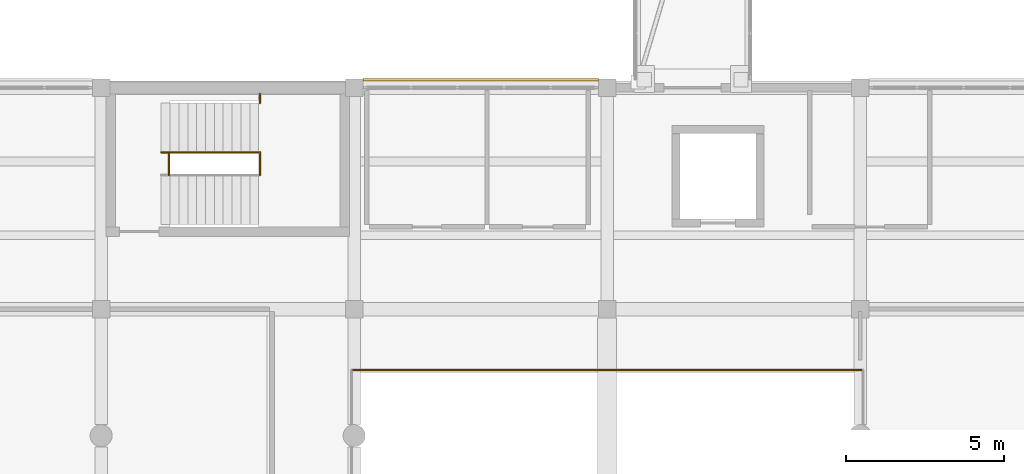
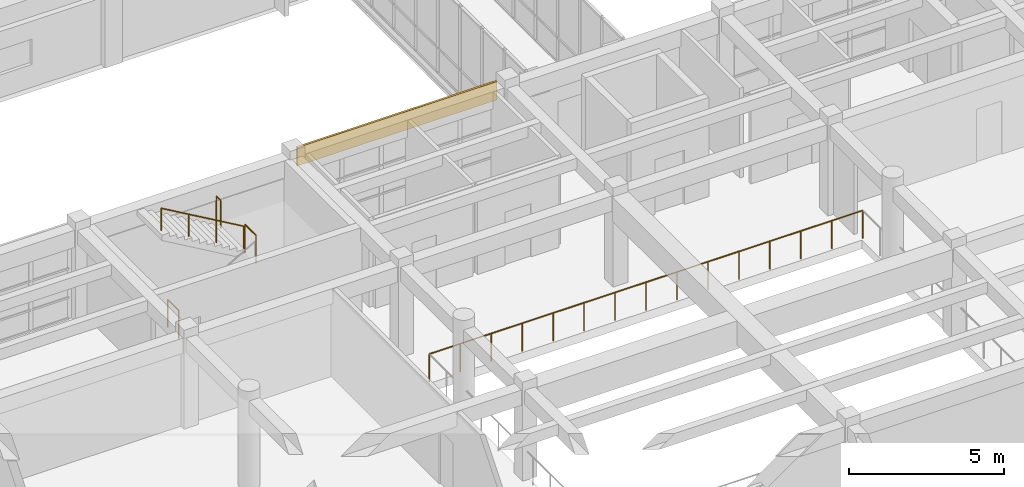
# One storey, part 60 of 66: 5 railings, 1 covering.
"""IFC4 building model written with IfcOpenShell, lengths in metres."""

from ifc_helpers import new_model, si_unit, direction, frame, origin, origin_2d, place, context, subcontext, project, spatial, rectangle, circle, extrude, material, layer, layer_set, type_object, element, save


model = new_model("IFC4")

# Units and contexts
model_context = context("Model", 3, precision=1e-05, world=origin(), true_north=direction((0.0, 1.0)))
body_context = subcontext(model_context, "Body", "Model", "MODEL_VIEW")
ifc_project = project(units=[si_unit("LENGTHUNIT", "METRE"), si_unit("AREAUNIT", "SQUARE_METRE"), si_unit("VOLUMEUNIT", "CUBIC_METRE"), si_unit("PLANEANGLEUNIT", "RADIAN"), si_unit("MASSUNIT", "GRAM", prefix="KILO")], contexts=[model_context])

# Site, building, storey
site_placement = place(None, origin())
site = spatial("IfcSite", under=ifc_project, at=site_placement, CompositionType="ELEMENT")
building_placement = place(site_placement, origin())
building = spatial("IfcBuilding", under=site, at=building_placement, Name="Naurynzar Civic Courthouse", CompositionType="ELEMENT")
storey_placement = place(building_placement, frame((0.0, 0.0, 14.39990234375)))
storey = spatial("IfcBuildingStorey", under=building, at=storey_placement, Name="L04", CompositionType="ELEMENT", Elevation=14.39990234375)

# Covering
ifc_material_1 = material(Name="Precast concrete C40/50", Category="concrete")
ifc_layer = layer(ifc_material_1, 0.080078125)
ifc_layer_set = layer_set([ifc_layer], Name="COV-CLAD-PRECAST-80")
covering_type = type_object("IfcCoveringType", Name="COV-CLAD-PRECAST-80", PredefinedType="CLADDING", material=ifc_layer_set)
covering_placement = place(storey_placement, frame((89.0, 32.2548828125, 2.84033203125), z_axis=(0.0, 0.0, 1.0), x_axis=(1.0, 0.0, 0.0)))
element("IfcCovering", 1, at=covering_placement, inside=storey, type_object=covering_type, Name="V3 precast spandrel cladding 71", PredefinedType="CLADDING", context=body_context, shape_type="SweptSolid", body=[
    extrude(rectangle(XDim=7.449951171875, YDim=0.080078125, at=origin_2d()), origin(), (0.0, 0.0, 1.0), 0.719970703125),
])

# Railings
ifc_material_2 = material(Name="Brushed Stainless Steel 304", Category="steel")
railing_type_1 = type_object("IfcRailingType", Name="RAIL-BAL-1100", PredefinedType="BALUSTRADE", material=ifc_material_2)
railing_1_placement = place(storey_placement, frame((101.080078125, 23.080078125, 0.0)))
element("IfcRailing", 2, at=railing_1_placement, inside=storey, type_object=railing_type_1, Name="Atrium gallery balustrade guard GR-VOID-V3-L04.3", PredefinedType="BALUSTRADE", context=body_context, shape_type="SweptSolid", body=[
    extrude(circle(Radius=0.02392578125, at=origin_2d()), frame((0.0, 0.0, 1.09619140625), z_axis=(-1.0, 0.0, 0.0), x_axis=(0.0, -1.0, 0.0)), (0.0, 0.0, 1.0), 16.16015625),
    extrude(circle(Radius=0.02099609375, at=origin_2d()), origin(), (0.0, 0.0, 1.0), 1.072021484375),
    extrude(circle(Radius=0.02099609375, at=origin_2d()), frame((-1.154296875, 0.0, 0.0)), (0.0, 0.0, 1.0), 1.072021484375),
    extrude(circle(Radius=0.02099609375, at=origin_2d()), frame((-2.30859375, 0.0, 0.0)), (0.0, 0.0, 1.0), 1.072021484375),
    extrude(circle(Radius=0.02099609375, at=origin_2d()), frame((-3.462890625, 0.0, 0.0)), (0.0, 0.0, 1.0), 1.072021484375),
    extrude(circle(Radius=0.02099609375, at=origin_2d()), frame((-4.6171875, 0.0, 0.0)), (0.0, 0.0, 1.0), 1.072021484375),
    extrude(circle(Radius=0.02099609375, at=origin_2d()), frame((-5.771484375, 0.0, 0.0)), (0.0, 0.0, 1.0), 1.072021484375),
    extrude(circle(Radius=0.02099609375, at=origin_2d()), frame((-6.92578125, 0.0, 0.0)), (0.0, 0.0, 1.0), 1.072021484375),
    extrude(circle(Radius=0.02099609375, at=origin_2d()), frame((-8.080078125, 0.0, 0.0)), (0.0, 0.0, 1.0), 1.072021484375),
    extrude(circle(Radius=0.02099609375, at=origin_2d()), frame((-9.234375, 0.0, 0.0)), (0.0, 0.0, 1.0), 1.072021484375),
    extrude(circle(Radius=0.02099609375, at=origin_2d()), frame((-10.388671875, 0.0, 0.0)), (0.0, 0.0, 1.0), 1.072021484375),
    extrude(circle(Radius=0.02099609375, at=origin_2d()), frame((-11.54296875, 0.0, 0.0)), (0.0, 0.0, 1.0), 1.072021484375),
    extrude(circle(Radius=0.02099609375, at=origin_2d()), frame((-12.697265625, 0.0, 0.0)), (0.0, 0.0, 1.0), 1.072021484375),
    extrude(circle(Radius=0.02099609375, at=origin_2d()), frame((-13.8515625, 0.0, 0.0)), (0.0, 0.0, 1.0), 1.072021484375),
    extrude(circle(Radius=0.02099609375, at=origin_2d()), frame((-15.005859375, 0.0, 0.0)), (0.0, 0.0, 1.0), 1.072021484375),
    extrude(circle(Radius=0.02099609375, at=origin_2d()), frame((-16.16015625, 0.0, 0.0)), (0.0, 0.0, 1.0), 1.072021484375),
])
for number, where, name in (
    (3, (79.139892578125, 29.239990234375, 0.0), "Stair ST-V3A floor well slot guard L04"),
    (4, (82.02001953125, 29.239990234375, 1.9501953125), "Stair ST-V3A-L04 half-landing well guard"),
):
    element("IfcRailing", number, at=place(storey_placement, frame(where)), inside=storey, type_object=railing_type_1, Name=name, PredefinedType="BALUSTRADE", context=body_context, shape_type="SweptSolid", body=[
        extrude(circle(Radius=0.02392578125, at=origin_2d()), frame((0.0, 0.0, 1.09619140625), z_axis=(0.0, 1.0, 0.0), x_axis=(-1.0, 0.0, 0.0)), (0.0, 0.0, 1.0), 0.719970703125),
        extrude(circle(Radius=0.02099609375, at=origin_2d()), origin(), (0.0, 0.0, 1.0), 1.072021484375),
        extrude(circle(Radius=0.02099609375, at=origin_2d()), frame((0.0, 0.719970703125, 0.0)), (0.0, 0.0, 1.0), 1.072021484375),
    ])
railing_2_placement = place(storey_placement, frame((82.02001953125, 31.52001953125, 1.9501953125)))
element("IfcRailing", 5, at=railing_2_placement, inside=storey, type_object=railing_type_1, Name="Stair ST-V3A-L04 half-landing north slot guard", PredefinedType="BALUSTRADE", context=body_context, shape_type="SweptSolid", body=[
    extrude(circle(Radius=0.02392578125, at=origin_2d()), frame((0.0, 0.0, 1.09619140625), z_axis=(0.0, 1.0, 0.0), x_axis=(-1.0, 0.0, 0.0)), (0.0, 0.0, 1.0), 0.284912109375),
    extrude(circle(Radius=0.02099609375, at=origin_2d()), origin(), (0.0, 0.0, 1.0), 1.072021484375),
    extrude(circle(Radius=0.02099609375, at=origin_2d()), frame((0.0, 0.284912109375, 0.0)), (0.0, 0.0, 1.0), 1.072021484375),
])
ifc_material_3 = material(Name="Brushed Stainless Steel 304", Category="steel")
railing_type_2 = type_object("IfcRailingType", Name="RAIL-HR-900", PredefinedType="HANDRAIL", material=ifc_material_3)
railing_3_placement = place(storey_placement, frame((81.97998046875, 29.9599609375, 2.112548828125)))
element("IfcRailing", 6, at=railing_3_placement, inside=storey, type_object=railing_type_2, Name="Stair ST-V3A-L04 flight 2 handrail", PredefinedType="HANDRAIL", context=body_context, shape_type="SweptSolid", body=[
    extrude(circle(Radius=0.02392578125, at=origin_2d()), frame((0.0, 0.0, 0.8759765625), z_axis=(-0.864890721111, 0.0, 0.501960198159), x_axis=(0.0, -1.0, 0.0)), (0.0, 0.0, 1.0), 3.561279296875),
    extrude(circle(Radius=0.02099609375, at=origin_2d()), origin(), (0.0, 0.0, 1.0), 0.851806640625),
    extrude(circle(Radius=0.02099609375, at=origin_2d()), frame((-1.026611328125, 0.0, 0.595947265625)), (0.0, 0.0, 1.0), 0.851806640625),
    extrude(circle(Radius=0.02099609375, at=origin_2d()), frame((-2.053466796875, 0.0, 1.191650390625)), (0.0, 0.0, 1.0), 0.851806640625),
    extrude(circle(Radius=0.02099609375, at=origin_2d()), frame((-3.080078125, 0.0, 1.78759765625)), (0.0, 0.0, 1.0), 0.851806640625),
])

save(model, "model.ifc")
